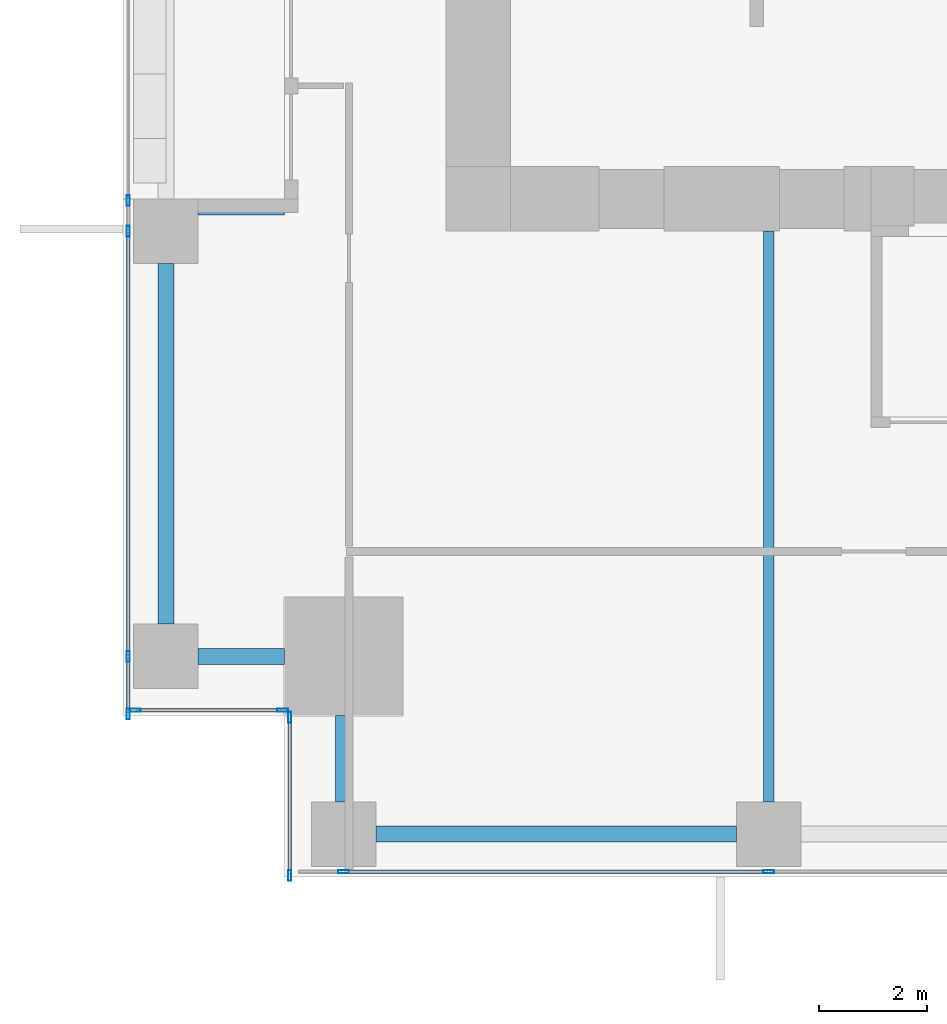
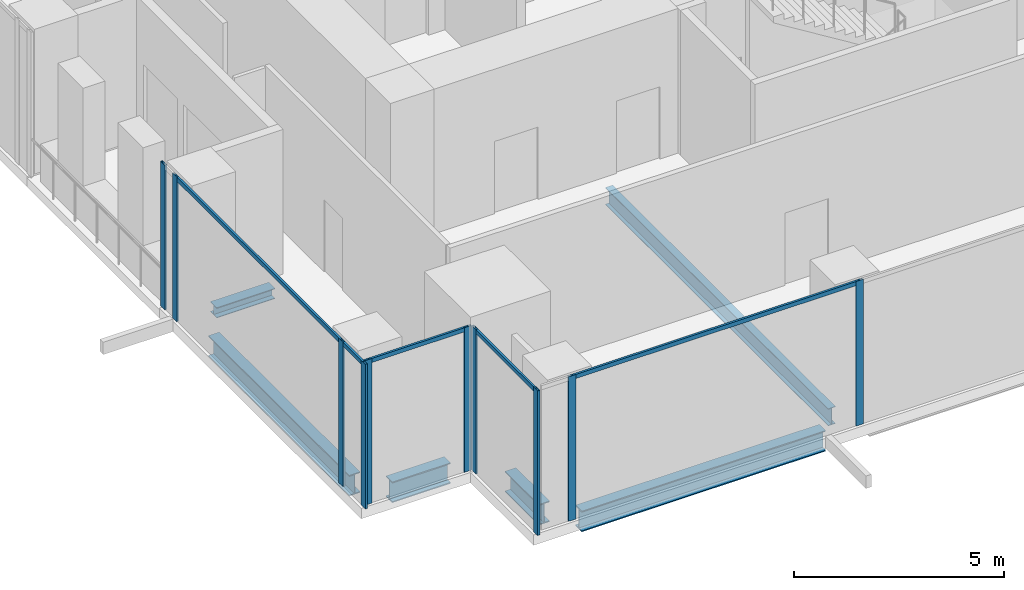
# One storey, part 2 of 33: 15 members, 6 beams, 4 elements without a shape of their own.
"""IFC4 building model written with IfcOpenShell, lengths in metres."""

import ifcopenshell
import ifcopenshell.guid

model = None  # the IFC model being written
_history = None  # IfcOwnerHistory: only IFC2X3 demands one
_inside = {}  # id of a spatial element -> (the spatial element, [elements in it])
_under = {}  # id of a project, library or spatial element -> (it, [spatial elements below it])
_declared = {}  # id of a project -> (the project, [libraries it declares])
_typed = {}  # id of a type object -> (the type object, [elements of that type])
_made_of = {}  # id of a material, layer set ... -> (it, [elements and type objects made of it])


def new_model(schema):
    """Start an empty IFC model of exactly this schema.

    Asked for "IFC4X3", IfcOpenShell would pick the latest addendum, in which some entities
    have other attributes; the version numbers below select the first issue.
    IFC2X3 requires an IfcOwnerHistory on every rooted entity: one is made here for all.
    """
    global model, _history
    if schema == "IFC4X3":
        model = ifcopenshell.file(schema_version=(4, 3, 0, 0))
    else:
        model = ifcopenshell.file(schema=schema)
    _inside.clear()
    _under.clear()
    _declared.clear()
    _typed.clear()
    _made_of.clear()
    _history = None
    if model.schema == "IFC2X3":
        org = make("IfcOrganization", Name="unknown")
        user = make(
            "IfcPersonAndOrganization",
            ThePerson=make("IfcPerson", FamilyName="unknown"),
            TheOrganization=org,
        )
        app = make(
            "IfcApplication",
            ApplicationDeveloper=org,
            Version="unknown",
            ApplicationFullName="unknown",
            ApplicationIdentifier="unknown",
        )
        _history = make(
            "IfcOwnerHistory",
            OwningUser=user,
            OwningApplication=app,
            ChangeAction="ADDED",
            CreationDate=0,
        )
    return model


def make(cls, **values):
    """One entity of the class cls with the attributes given. An attribute that is None is left unset."""
    return model.create_entity(
        cls, **{name: value for name, value in values.items() if value is not None}
    )


def rooted(cls, **values):
    """An entity with a GlobalId (a new one), such as an element, a storey or a relation."""
    return make(cls, GlobalId=ifcopenshell.guid.new(), OwnerHistory=_history, **values)


def si_unit(unit_type, name, prefix=None):
    """IfcSIUnit, for example si_unit("LENGTHUNIT", "METRE", prefix="MILLI")."""
    return make("IfcSIUnit", UnitType=unit_type, Prefix=prefix, Name=name)


def assignment(units):
    """IfcUnitAssignment: the units of a project."""
    return None if units is None else make("IfcUnitAssignment", Units=units)


def point(xyz):
    """IfcCartesianPoint."""
    return None if xyz is None else make("IfcCartesianPoint", Coordinates=xyz)


def direction(xyz):
    """IfcDirection."""
    return None if xyz is None else make("IfcDirection", DirectionRatios=xyz)


def frame(location, z_axis=None, x_axis=None):
    """IfcAxis2Placement3D, a coordinate frame: its origin and axes. An axis left out is left unset."""
    return make(
        "IfcAxis2Placement3D",
        Location=point(location),
        Axis=direction(z_axis),
        RefDirection=direction(x_axis),
    )


def frame_2d(location, x_axis=None):
    """IfcAxis2Placement2D, a coordinate frame in the plane: its origin and x axis."""
    return make(
        "IfcAxis2Placement2D", Location=point(location), RefDirection=direction(x_axis)
    )


def origin():
    """The frame at (0, 0, 0) with its axes left unset."""
    return frame((0.0, 0.0, 0.0))


def origin_2d():
    """The frame at (0, 0) in the plane with its x axis left unset."""
    return frame_2d((0.0, 0.0))


def place(relative_to, where):
    """IfcLocalPlacement: puts the frame where relative to a parent placement (None: the world)."""
    return make(
        "IfcLocalPlacement", PlacementRelTo=relative_to, RelativePlacement=where
    )


def context(
    kind, dimensions, precision=None, world=None, true_north=None, identifier=None
):
    """IfcGeometricRepresentationContext, for example the 3D "Model" context."""
    return make(
        "IfcGeometricRepresentationContext",
        ContextIdentifier=identifier,
        ContextType=kind,
        CoordinateSpaceDimension=dimensions,
        Precision=precision,
        WorldCoordinateSystem=world,
        TrueNorth=true_north,
    )


def subcontext(parent, identifier, kind, view, scale=None):
    """IfcGeometricRepresentationSubContext, for example "Body" below "Model"."""
    return make(
        "IfcGeometricRepresentationSubContext",
        ContextIdentifier=identifier,
        ContextType=kind,
        ParentContext=parent,
        TargetScale=scale,
        TargetView=view,
    )


def project(units=None, contexts=None):
    """IfcProject with its units and contexts."""
    return rooted(
        "IfcProject",
        Name="project",
        RepresentationContexts=contexts,
        UnitsInContext=assignment(units),
    )


def spatial(cls, under=None, at=None, **own):
    """A site, building, storey or space (cls), placed at a placement, below another one or the project."""
    s = rooted(cls, ObjectPlacement=at, **own)
    if under is not None:
        _under.setdefault(under.id(), (under, []))[1].append(s)
    return s


def profile(cls, at=None, kind="AREA", **sizes):
    """A parametric profile (cls). Its sizes go by their IFC names, for example OverallWidth=200.0."""
    return make(cls, ProfileType=kind, Position=at, **sizes)


def hollow_rectangle(**sizes):
    """IfcRectangleHollowProfileDef."""
    return profile("IfcRectangleHollowProfileDef", **sizes)


def i_section(**sizes):
    """IfcIShapeProfileDef."""
    return profile("IfcIShapeProfileDef", **sizes)


def extrude(swept, where, along, depth):
    """IfcExtrudedAreaSolid: the profile swept, set in the frame where, extruded along a direction by depth."""
    return make(
        "IfcExtrudedAreaSolid",
        SweptArea=swept,
        Position=where,
        ExtrudedDirection=direction(along),
        Depth=depth,
    )


def shape(context_of_items, identifier, shape_type, items):
    """IfcShapeRepresentation: the items that make up one representation, for example the "Body"."""
    return make(
        "IfcShapeRepresentation",
        ContextOfItems=context_of_items,
        RepresentationIdentifier=identifier,
        RepresentationType=shape_type,
        Items=items,
    )


def source(mapping_origin, context_of_items, identifier, shape_type, items):
    """IfcRepresentationMap: a shape defined once, which mapped items show again and again."""
    return make(
        "IfcRepresentationMap",
        MappingOrigin=mapping_origin,
        MappedRepresentation=shape(context_of_items, identifier, shape_type, items),
    )


def transform(
    local_origin,
    x_axis=None,
    y_axis=None,
    z_axis=None,
    scale=None,
    scale2=None,
    scale3=None,
    uniform=True,
):
    """IfcCartesianTransformationOperator3D, or its non-uniform kind. x_axis, y_axis, z_axis: its Axis1, 2, 3."""
    if uniform:
        return make(
            "IfcCartesianTransformationOperator3D",
            Axis1=direction(x_axis),
            Axis2=direction(y_axis),
            LocalOrigin=point(local_origin),
            Scale=scale,
            Axis3=direction(z_axis),
        )
    return make(
        "IfcCartesianTransformationOperator3DnonUniform",
        Axis1=direction(x_axis),
        Axis2=direction(y_axis),
        LocalOrigin=point(local_origin),
        Scale=scale,
        Axis3=direction(z_axis),
        Scale2=scale2,
        Scale3=scale3,
    )


def mapped(mapping_source, mapping_target):
    """IfcMappedItem: shows the shape of a source again, moved by a transform."""
    return make(
        "IfcMappedItem", MappingSource=mapping_source, MappingTarget=mapping_target
    )


def material(Name=None, Category=None):
    """IfcMaterial."""
    return make("IfcMaterial", Name=Name, Category=Category)


def material_profile(
    of_material, cross_section, Name=None, Category=None, Priority=None
):
    """IfcMaterialProfile: a cross section and its material."""
    return make(
        "IfcMaterialProfile",
        Name=Name,
        Material=of_material,
        Profile=cross_section,
        Priority=Priority,
        Category=Category,
    )


def profile_set(profiles, Name=None, composite=None):
    """IfcMaterialProfileSet."""
    return make(
        "IfcMaterialProfileSet",
        Name=Name,
        MaterialProfiles=profiles,
        CompositeProfile=composite,
    )


def made_of(thing, what):
    """Note that an element or type object is made of a material, layer set ...; save() writes the relation."""
    if what is not None:
        _made_of.setdefault(what.id(), (what, []))[1].append(thing)
    return thing


def type_object(cls, material=None, **own):
    """A type object (cls), such as IfcWallType, which elements share."""
    return made_of(rooted(cls, **own), material)


def element(
    cls,
    number,
    at=None,
    inside=None,
    cuts=None,
    type_object=None,
    material=None,
    context=None,
    identifier="Body",
    shape_type=None,
    held_by="IfcProductDefinitionShape",
    body=None,
    shapes=None,
    **own,
):
    """One element of the class cls, such as IfcWall. Its Tag is "e" and its number.

    at: its placement. inside: the storey or other place that contains it. cuts: it is an
    opening in that element (IfcRelVoidsElement). A single representation is given by context,
    identifier, shape_type and body (its items); several are given by shapes. held_by: the class
    of the entity that holds the representations. save() writes the other relations.
    """
    e = rooted(cls, Tag="e%d" % number, ObjectPlacement=at, **own)
    if body is not None:
        shapes = [shape(context, identifier, shape_type, body)]
    if shapes is not None:
        e.Representation = make(held_by, Representations=shapes)
    if inside is not None:
        _inside.setdefault(inside.id(), (inside, []))[1].append(e)
    if cuts is not None:
        rooted(
            "IfcRelVoidsElement", RelatingBuildingElement=cuts, RelatedOpeningElement=e
        )
    if type_object is not None:
        _typed.setdefault(type_object.id(), (type_object, []))[1].append(e)
    return made_of(e, material)


def aggregate(whole, parts):
    """IfcRelAggregates: a whole, such as a stair, and the parts it consists of."""
    return rooted("IfcRelAggregates", RelatingObject=whole, RelatedObjects=parts)


def save(model, path):
    """Write the relations noted so far, then the file.

    IfcRelAggregates (storeys below a building ...), IfcRelContainedInSpatialStructure (elements
    in a storey), IfcRelDefinesByType, IfcRelAssociatesMaterial and IfcRelDeclares: one each for
    every whole, place, type object, material and project.
    """
    for whole, parts in _under.values():
        aggregate(whole, parts)
    for where, things in _inside.values():
        rooted(
            "IfcRelContainedInSpatialStructure",
            RelatedElements=things,
            RelatingStructure=where,
        )
    for kind, things in _typed.values():
        rooted("IfcRelDefinesByType", RelatedObjects=things, RelatingType=kind)
    for what, things in _made_of.values():
        rooted("IfcRelAssociatesMaterial", RelatedObjects=things, RelatingMaterial=what)
    for by, libraries in _declared.values():
        rooted("IfcRelDeclares", RelatingContext=by, RelatedDefinitions=libraries)
    model.write(path)


model = new_model("IFC4")

# Units and contexts
model_context = context("Model", 3, precision=1e-05, world=origin(), true_north=direction((0.0, 1.0)))
body_context = subcontext(model_context, "Body", "Model", "MODEL_VIEW")
ifc_project = project(units=[si_unit("LENGTHUNIT", "METRE"), si_unit("AREAUNIT", "SQUARE_METRE"), si_unit("VOLUMEUNIT", "CUBIC_METRE"), si_unit("PLANEANGLEUNIT", "RADIAN"), si_unit("MASSUNIT", "GRAM", prefix="KILO")], contexts=[model_context])

# Site, building, storey
site_placement = place(None, origin())
site = spatial("IfcSite", under=ifc_project, at=site_placement, CompositionType="ELEMENT")
building_placement = place(site_placement, origin())
building = spatial("IfcBuilding", under=site, at=building_placement, Name="Khomas Fold Tower", CompositionType="ELEMENT")
storey_placement = place(building_placement, frame((0.0, 0.0, 55.5)))
storey = spatial("IfcBuildingStorey", under=building, at=storey_placement, Name="L11", CompositionType="ELEMENT", Elevation=55.5)

# Beams
ifc_material_1 = material(Name="Steel S355", Category="steel")
ifc_material_profile_1 = material_profile(ifc_material_1, i_section(OverallWidth=0.199951171875, OverallDepth=0.5, WebThickness=0.01025390625, FlangeThickness=0.01611328125, at=origin_2d()), Name="IPE 500")
ifc_profile_set_1 = profile_set([ifc_material_profile_1], Name="Steel S355")
beam_type_1 = type_object("IfcBeamType", Name="IPE 500 beam JB5", PredefinedType="BEAM", material=ifc_profile_set_1)
shared_shape_1 = source(origin(), body_context, "Body", "SweptSolid", [
    extrude(i_section(OverallWidth=0.199951171875, OverallDepth=0.5, WebThickness=0.01025390625, FlangeThickness=0.01611328125, at=origin_2d()), origin(), (0.0, 0.0, 1.0), 10.60009765625),
])
beam_1_placement = place(storey_placement, frame((12.0, 1.39990234375, -0.550048828125), z_axis=(0.0, 1.0, 0.0), x_axis=(-1.0, 0.0, 0.0)))
element("IfcBeam", 1, at=beam_1_placement, inside=storey, type_object=beam_type_1, Name="JB5", PredefinedType="BEAM", context=body_context, shape_type="MappedRepresentation", body=[
    mapped(shared_shape_1, transform((0.0, 0.0, 0.0))),
])
ifc_material_2 = material(Name="Steel S355", Category="steel")
ifc_material_profile_2 = material_profile(ifc_material_2, i_section(OverallWidth=0.300048828125, OverallDepth=0.60009765625, WebThickness=0.015380859375, FlangeThickness=0.030029296875, at=origin_2d()), Name="HE 600 B")
ifc_profile_set_2 = profile_set([ifc_material_profile_2], Name="Steel S355")
beam_type_2 = type_object("IfcBeamType", Name="HE 600 B spandrel SB1", PredefinedType="SPANDREL", material=ifc_profile_set_2)
shared_shape_2 = source(origin(), body_context, "Body", "SweptSolid", [
    extrude(i_section(OverallWidth=0.300048828125, OverallDepth=0.60009765625, WebThickness=0.015380859375, FlangeThickness=0.030029296875, at=origin_2d()), origin(), (0.0, 0.0, 1.0), 6.699951171875),
])
for number, where, z_axis, x_axis, name in (
    (2, (4.699951171875, 0.800048828125, -0.60009765625), (1.0, 0.0, 0.0), (0.0, 1.0, 0.0), "SB1"),
    (3, (0.800048828125, 4.699951171875, -0.60009765625), (0.0, 1.0, 0.0), (-1.0, 0.0, 0.0), "SB1"),
):
    element("IfcBeam", number, at=place(storey_placement, frame(where, z_axis=z_axis, x_axis=x_axis)), inside=storey, type_object=beam_type_2, Name=name, PredefinedType="SPANDREL", context=body_context, shape_type="MappedRepresentation", body=[
        mapped(shared_shape_2, transform((0.0, 0.0, 0.0))),
    ])
shared_shape_3 = source(origin(), body_context, "Body", "SweptSolid", [
    extrude(i_section(OverallWidth=0.300048828125, OverallDepth=0.60009765625, WebThickness=0.015380859375, FlangeThickness=0.030029296875, at=origin_2d()), origin(), (0.0, 0.0, 1.0), 1.60009765625),
])
for number, where, z_axis, x_axis, name in (
    (4, (1.39990234375, 4.10009765625, -0.60009765625), (1.0, 0.0, 0.0), (0.0, 1.0, 0.0), "SB1"),
    (5, (4.10009765625, 1.39990234375, -0.60009765625), (0.0, 1.0, 0.0), (-1.0, 0.0, 0.0), "SB1"),
):
    element("IfcBeam", number, at=place(storey_placement, frame(where, z_axis=z_axis, x_axis=x_axis)), inside=storey, type_object=beam_type_2, Name=name, PredefinedType="SPANDREL", context=body_context, shape_type="MappedRepresentation", body=[
        mapped(shared_shape_3, transform((0.0, 0.0, 0.0))),
    ])
ifc_material_3 = material(Name="Steel S355", Category="steel")
ifc_material_profile_3 = material_profile(ifc_material_3, i_section(OverallWidth=0.300048828125, OverallDepth=0.300048828125, WebThickness=0.010986328125, FlangeThickness=0.01904296875, at=origin_2d()), Name="HE 300 B")
ifc_profile_set_3 = profile_set([ifc_material_profile_3], Name="Steel S355")
beam_type_3 = type_object("IfcBeamType", Name="HE 300 B beam BB1", PredefinedType="BEAM", material=ifc_profile_set_3)
shared_shape_4 = source(origin(), body_context, "Body", "SweptSolid", [
    extrude(i_section(OverallWidth=0.300048828125, OverallDepth=0.300048828125, WebThickness=0.010986328125, FlangeThickness=0.01904296875, at=origin_2d()), origin(), (0.0, 0.0, 1.0), 1.60009765625),
])
beam_2_placement = place(storey_placement, frame((1.39990234375, 12.449951171875, -0.449951171875), z_axis=(1.0, 0.0, 0.0), x_axis=(0.0, 1.0, 0.0)))
element("IfcBeam", 6, at=beam_2_placement, inside=storey, type_object=beam_type_3, Name="BB1", PredefinedType="BEAM", context=body_context, shape_type="MappedRepresentation", body=[
    mapped(shared_shape_4, transform((0.0, 0.0, 0.0))),
])

# Curtain wall, member
ifc_material_4 = material(Name="Aluminium framed double glazing", Category="aluminium")
curtain_wall_type = type_object("IfcCurtainWallType", Name="SK-Unitised clear-glass wall, growing floors CW1", PredefinedType="NOTDEFINED", material=ifc_material_4)
curtain_wall_1_placement = place(storey_placement, origin())
curtain_wall_1 = element("IfcCurtainWall", 7, at=curtain_wall_1_placement, inside=storey, type_object=curtain_wall_type, Name="CW1 run L11 00-0", PredefinedType="NOTDEFINED")
ifc_material_5 = material(Name="Aluminium", Category="aluminium")
ifc_material_profile_4 = material_profile(ifc_material_5, hollow_rectangle(XDim=0.06005859375, YDim=0.1201171875, WallThickness=0.00390625, at=origin_2d()), Name="SK-Unitised clear-glass wall, growing floors transom CW1-T")
ifc_profile_set_4 = profile_set([ifc_material_profile_4], Name="Aluminium")
member_type_1 = type_object("IfcMemberType", Name="SK-Unitised clear-glass wall, growing floors transom CW1-T", PredefinedType="USERDEFINED", material=ifc_profile_set_4)
shared_shape_5 = source(origin(), body_context, "Body", "SweptSolid", [
    extrude(hollow_rectangle(XDim=0.06005859375, YDim=0.1201171875, WallThickness=0.00390625, at=origin_2d()), origin(), (0.0, 0.0, 1.0), 7.840087890625),
])
member_1_placement = place(storey_placement, frame((4.1298828125, 0.10009765625, 4.139892578125), z_axis=(1.0, 0.0, 0.0), x_axis=(0.0, 1.0, 0.0)))
member_1 = element("IfcMember", 8, at=member_1_placement, type_object=member_type_1, Name="CW1 transom 2", ObjectType="TRANSOM", PredefinedType="USERDEFINED", context=body_context, shape_type="MappedRepresentation", body=[
    mapped(shared_shape_5, transform((0.0, 0.0, 0.0))),
])

# Curtain wall, members
curtain_wall_2_placement = place(storey_placement, origin())
curtain_wall_2 = element("IfcCurtainWall", 9, at=curtain_wall_2_placement, inside=storey, type_object=curtain_wall_type, Name="CW1 run L11 09-1", PredefinedType="NOTDEFINED")
member_2_placement = place(storey_placement, frame((0.10009765625, 11.969970703125, 4.139892578125), z_axis=(0.0, -1.0, 0.0), x_axis=(1.0, 0.0, 0.0)))
member_2 = element("IfcMember", 10, at=member_2_placement, type_object=member_type_1, Name="CW1 transom 2", ObjectType="TRANSOM", PredefinedType="USERDEFINED", context=body_context, shape_type="MappedRepresentation", body=[
    mapped(shared_shape_5, transform((0.0, 0.0, 0.0))),
])
shared_shape_6 = source(origin(), body_context, "Body", "SweptSolid", [
    extrude(hollow_rectangle(XDim=0.06005859375, YDim=0.1201171875, WallThickness=0.00390625, at=origin_2d()), origin(), (0.0, 0.0, 1.0), 1.010009765625),
])
member_3_placement = place(storey_placement, frame((0.10009765625, 4.070068359375, 4.139892578125), z_axis=(0.0, -1.0, 0.0), x_axis=(1.0, 0.0, 0.0)))
member_3 = element("IfcMember", 11, at=member_3_placement, type_object=member_type_1, Name="CW1 transom 3", ObjectType="TRANSOM", PredefinedType="USERDEFINED", context=body_context, shape_type="MappedRepresentation", body=[
    mapped(shared_shape_6, transform((0.0, 0.0, 0.0))),
])

# Curtain wall, member
curtain_wall_3_placement = place(storey_placement, origin())
curtain_wall_3 = element("IfcCurtainWall", 12, at=curtain_wall_3_placement, inside=storey, type_object=curtain_wall_type, Name="CW1 corner return L11 10", PredefinedType="NOTDEFINED")
shared_shape_7 = source(origin(), body_context, "Body", "SweptSolid", [
    extrude(hollow_rectangle(XDim=0.06005859375, YDim=0.1201171875, WallThickness=0.00390625, at=origin_2d()), origin(), (0.0, 0.0, 1.0), 2.679931640625),
])
member_4_placement = place(storey_placement, frame((0.260009765625, 3.10009765625, 4.139892578125), z_axis=(1.0, 0.0, 0.0), x_axis=(0.0, 1.0, 0.0)))
member_4 = element("IfcMember", 13, at=member_4_placement, type_object=member_type_1, Name="CW1 transom 1", ObjectType="TRANSOM", PredefinedType="USERDEFINED", context=body_context, shape_type="MappedRepresentation", body=[
    mapped(shared_shape_7, transform((0.0, 0.0, 0.0))),
])

curtain_wall_4_placement = place(storey_placement, origin())
curtain_wall_4 = element("IfcCurtainWall", 14, at=curtain_wall_4_placement, inside=storey, type_object=curtain_wall_type, Name="CW1 corner return L11 11", PredefinedType="NOTDEFINED")
shared_shape_8 = source(origin(), body_context, "Body", "SweptSolid", [
    extrude(hollow_rectangle(XDim=0.06005859375, YDim=0.1201171875, WallThickness=0.00390625, at=origin_2d()), origin(), (0.0, 0.0, 1.0), 2.8798828125),
])
member_5_placement = place(storey_placement, frame((3.10009765625, 2.93994140625, 4.139892578125), z_axis=(0.0, -1.0, 0.0), x_axis=(1.0, 0.0, 0.0)))
member_5 = element("IfcMember", 15, at=member_5_placement, type_object=member_type_1, Name="CW1 transom 1", ObjectType="TRANSOM", PredefinedType="USERDEFINED", context=body_context, shape_type="MappedRepresentation", body=[
    mapped(shared_shape_8, transform((0.0, 0.0, 0.0))),
])

# Member
ifc_material_6 = material(Name="Aluminium", Category="aluminium")
ifc_material_profile_5 = material_profile(ifc_material_6, hollow_rectangle(XDim=0.06005859375, YDim=0.199951171875, WallThickness=0.00390625, at=origin_2d()), Name="SK-Unitised clear-glass wall, growing floors mullion CW1-M")
ifc_profile_set_5 = profile_set([ifc_material_profile_5], Name="Aluminium")
member_type_2 = type_object("IfcMemberType", Name="SK-Unitised clear-glass wall, growing floors mullion CW1-M", PredefinedType="MULLION", material=ifc_profile_set_5)
shared_shape_9 = source(origin(), body_context, "Body", "SweptSolid", [
    extrude(hollow_rectangle(XDim=0.06005859375, YDim=0.199951171875, WallThickness=0.00390625, at=origin_2d()), origin(), (0.0, 0.0, 1.0), 4.199951171875),
])
member_6_placement = place(storey_placement, frame((4.10009765625, 0.10009765625, 0.0), z_axis=(0.0, 0.0, 1.0), x_axis=(0.0, 1.0, 0.0)))
member_6 = element("IfcMember", 16, at=member_6_placement, type_object=member_type_2, Name="CW1 mullion 2", PredefinedType="MULLION", context=body_context, shape_type="MappedRepresentation", body=[
    mapped(shared_shape_9, transform((0.0, 0.0, 0.0))),
])

member_7_placement = place(storey_placement, frame((12.0, 0.10009765625, 0.0), z_axis=(0.0, 0.0, 1.0), x_axis=(0.0, 1.0, 0.0)))
member_7 = element("IfcMember", 17, at=member_7_placement, type_object=member_type_2, Name="CW1 mullion 3", PredefinedType="MULLION", context=body_context, shape_type="MappedRepresentation", body=[
    mapped(shared_shape_9, transform((0.0, 0.0, 0.0))),
])

aggregate(curtain_wall_1, [member_6, member_7, member_1])

member_8_placement = place(storey_placement, frame((0.10009765625, 12.570068359375, 0.0), z_axis=(0.0, 0.0, 1.0), x_axis=(1.0, 0.0, 0.0)))
member_8 = element("IfcMember", 18, at=member_8_placement, type_object=member_type_2, Name="CW1 mullion 1", PredefinedType="MULLION", context=body_context, shape_type="MappedRepresentation", body=[
    mapped(shared_shape_9, transform((0.0, 0.0, 0.0))),
])

member_9_placement = place(storey_placement, frame((0.10009765625, 12.0, 0.0), z_axis=(0.0, 0.0, 1.0), x_axis=(1.0, 0.0, 0.0)))
member_9 = element("IfcMember", 19, at=member_9_placement, type_object=member_type_2, Name="CW1 mullion 2", PredefinedType="MULLION", context=body_context, shape_type="MappedRepresentation", body=[
    mapped(shared_shape_9, transform((0.0, 0.0, 0.0))),
])

member_10_placement = place(storey_placement, frame((0.10009765625, 4.10009765625, 0.0), z_axis=(0.0, 0.0, 1.0), x_axis=(1.0, 0.0, 0.0)))
member_10 = element("IfcMember", 20, at=member_10_placement, type_object=member_type_2, Name="CW1 mullion 3", PredefinedType="MULLION", context=body_context, shape_type="MappedRepresentation", body=[
    mapped(shared_shape_9, transform((0.0, 0.0, 0.0))),
])

member_11_placement = place(storey_placement, frame((0.10009765625, 3.030029296875, 0.0), z_axis=(0.0, 0.0, 1.0), x_axis=(1.0, 0.0, 0.0)))
member_11 = element("IfcMember", 21, at=member_11_placement, type_object=member_type_2, Name="CW1 mullion 4", PredefinedType="MULLION", context=body_context, shape_type="MappedRepresentation", body=[
    mapped(shared_shape_9, transform((0.0, 0.0, 0.0))),
])

aggregate(curtain_wall_2, [member_8, member_9, member_10, member_11, member_2, member_3])

member_12_placement = place(storey_placement, frame((0.22998046875, 3.10009765625, 0.0), z_axis=(0.0, 0.0, 1.0), x_axis=(0.0, 1.0, 0.0)))
member_12 = element("IfcMember", 22, at=member_12_placement, type_object=member_type_2, Name="CW1 mullion 1", PredefinedType="MULLION", context=body_context, shape_type="MappedRepresentation", body=[
    mapped(shared_shape_9, transform((0.0, 0.0, 0.0))),
])

member_13_placement = place(storey_placement, frame((2.969970703125, 3.10009765625, 0.0), z_axis=(0.0, 0.0, 1.0), x_axis=(0.0, 1.0, 0.0)))
member_13 = element("IfcMember", 23, at=member_13_placement, type_object=member_type_2, Name="CW1 mullion 2", PredefinedType="MULLION", context=body_context, shape_type="MappedRepresentation", body=[
    mapped(shared_shape_9, transform((0.0, 0.0, 0.0))),
])

aggregate(curtain_wall_3, [member_12, member_13, member_4])

member_14_placement = place(storey_placement, frame((3.10009765625, 2.969970703125, 0.0), z_axis=(0.0, 0.0, 1.0), x_axis=(1.0, 0.0, 0.0)))
member_14 = element("IfcMember", 24, at=member_14_placement, type_object=member_type_2, Name="CW1 mullion 1", PredefinedType="MULLION", context=body_context, shape_type="MappedRepresentation", body=[
    mapped(shared_shape_9, transform((0.0, 0.0, 0.0))),
])

member_15_placement = place(storey_placement, frame((3.10009765625, 0.030029296875, 0.0), z_axis=(0.0, 0.0, 1.0), x_axis=(1.0, 0.0, 0.0)))
member_15 = element("IfcMember", 25, at=member_15_placement, type_object=member_type_2, Name="CW1 mullion 2", PredefinedType="MULLION", context=body_context, shape_type="MappedRepresentation", body=[
    mapped(shared_shape_9, transform((0.0, 0.0, 0.0))),
])

aggregate(curtain_wall_4, [member_14, member_15, member_5])

save(model, "model.ifc")
